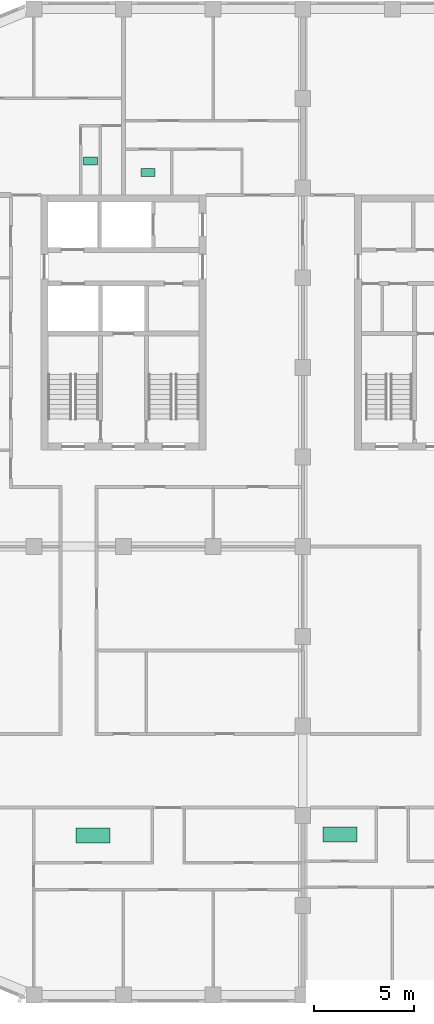
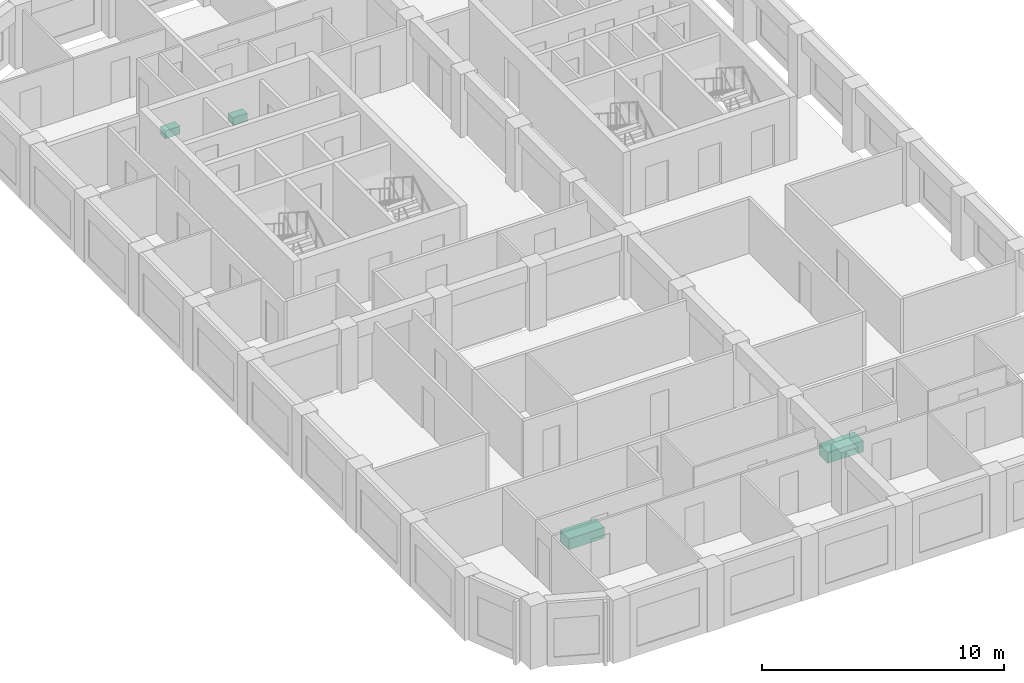
# One storey, part 10 of 10: 4 sanitary terminals.
"""IFC4 building model written with IfcOpenShell, lengths in metres."""

from ifc_helpers import new_model, si_unit, direction, frame, origin, origin_2d, place, context, subcontext, project, spatial, rectangle, extrude, material, type_object, element, save


model = new_model("IFC4")

# Units and contexts
model_context = context("Model", 3, precision=1e-05, world=origin(), true_north=direction((0.0, 1.0)))
body_context = subcontext(model_context, "Body", "Model", "MODEL_VIEW")
ifc_project = project(units=[si_unit("LENGTHUNIT", "METRE"), si_unit("AREAUNIT", "SQUARE_METRE"), si_unit("VOLUMEUNIT", "CUBIC_METRE"), si_unit("PLANEANGLEUNIT", "RADIAN"), si_unit("MASSUNIT", "GRAM", prefix="KILO")], contexts=[model_context])

# Site, building, storey
site_placement = place(None, origin())
site = spatial("IfcSite", under=ifc_project, at=site_placement, CompositionType="ELEMENT")
building_placement = place(site_placement, origin())
building = spatial("IfcBuilding", under=site, at=building_placement, Name="Girih Gate Residences", CompositionType="ELEMENT")
storey_placement = place(building_placement, frame((0.0, 0.0, 229.294921875)))
storey = spatial("IfcBuildingStorey", under=building, at=storey_placement, Name="L64", CompositionType="ELEMENT", Elevation=229.294921875)

# Sanitary terminals
ifc_material_1 = material(Name="Acrylic")
sanitary_terminal_type_1 = type_object("IfcSanitaryTerminalType", Name="Bath 1700", PredefinedType="BATH", material=ifc_material_1)
for number, where, z_axis, x_axis, name in (
    (1, (7.47509765625, 8.009033203125, 0.0), (0.0, 0.0, 1.0), (1.0, 0.0, 0.0), "Bath 1700 L64"),
    (2, (19.868896484375, 8.049072265625, 0.0), (0.0, 0.0, 1.0), (1.0, 0.0, 0.0), "Bath 1700 L64"),
):
    element("IfcSanitaryTerminal", number, at=place(storey_placement, frame(where, z_axis=z_axis, x_axis=x_axis)), inside=storey, type_object=sanitary_terminal_type_1, Name=name, PredefinedType="BATH", context=body_context, shape_type="SweptSolid", body=[
        extrude(rectangle(XDim=1.699951171875, YDim=0.75, at=origin_2d()), origin(), (0.0, 0.0, 1.0), 0.550048828125),
    ])
ifc_material_2 = material(Name="Vitreous china")
sanitary_terminal_type_2 = type_object("IfcSanitaryTerminalType", Name="WC pan", PredefinedType="TOILETPAN", material=ifc_material_2)
for number, where, z_axis, x_axis, name in (
    (3, (7.337890625, 41.85400390625, 0.000244140625), (0.0, 0.0, 1.0), (1.0, 0.0, 0.0), "WC pan L64"),
    (4, (10.22802734375, 41.27392578125, 0.000244140625), (0.0, 0.0, 1.0), (1.0, 0.0, 0.0), "WC pan L64"),
):
    element("IfcSanitaryTerminal", number, at=place(storey_placement, frame(where, z_axis=z_axis, x_axis=x_axis)), inside=storey, type_object=sanitary_terminal_type_2, Name=name, PredefinedType="TOILETPAN", context=body_context, shape_type="SweptSolid", body=[
        extrude(rectangle(XDim=0.699951171875, YDim=0.39990234375, at=origin_2d()), origin(), (0.0, 0.0, 1.0), 0.39990234375),
    ])

save(model, "model.ifc")
